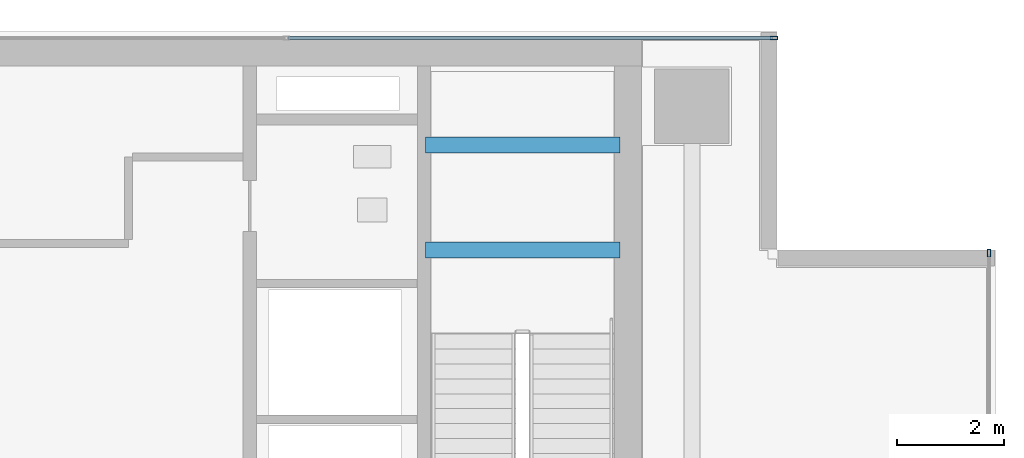
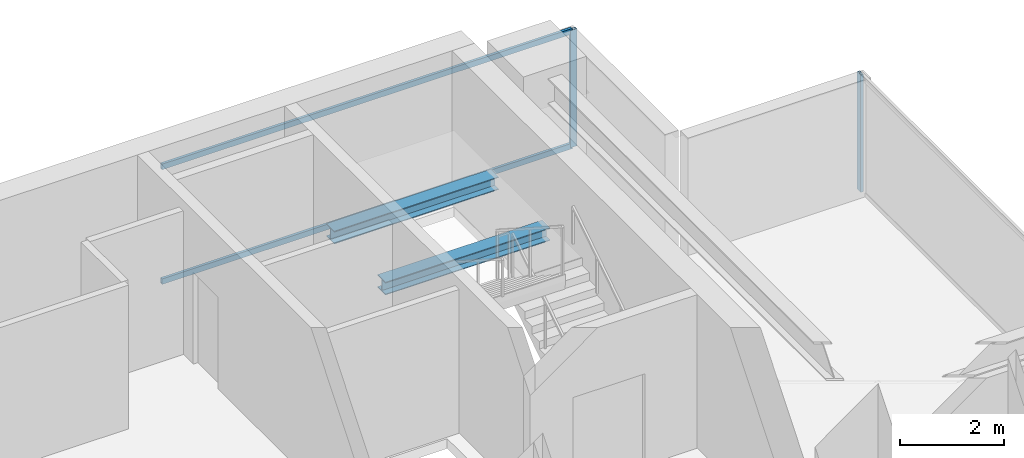
# One storey, part 18 of 25: 4 members, 2 beams, 2 elements without a shape of their own.
"""IFC4 building model written with IfcOpenShell, lengths in metres."""

import ifcopenshell
import ifcopenshell.guid

model = None  # the IFC model being written
_history = None  # IfcOwnerHistory: only IFC2X3 demands one
_inside = {}  # id of a spatial element -> (the spatial element, [elements in it])
_under = {}  # id of a project, library or spatial element -> (it, [spatial elements below it])
_declared = {}  # id of a project -> (the project, [libraries it declares])
_typed = {}  # id of a type object -> (the type object, [elements of that type])
_made_of = {}  # id of a material, layer set ... -> (it, [elements and type objects made of it])


def new_model(schema):
    """Start an empty IFC model of exactly this schema.

    Asked for "IFC4X3", IfcOpenShell would pick the latest addendum, in which some entities
    have other attributes; the version numbers below select the first issue.
    IFC2X3 requires an IfcOwnerHistory on every rooted entity: one is made here for all.
    """
    global model, _history
    if schema == "IFC4X3":
        model = ifcopenshell.file(schema_version=(4, 3, 0, 0))
    else:
        model = ifcopenshell.file(schema=schema)
    _inside.clear()
    _under.clear()
    _declared.clear()
    _typed.clear()
    _made_of.clear()
    _history = None
    if model.schema == "IFC2X3":
        org = make("IfcOrganization", Name="unknown")
        user = make(
            "IfcPersonAndOrganization",
            ThePerson=make("IfcPerson", FamilyName="unknown"),
            TheOrganization=org,
        )
        app = make(
            "IfcApplication",
            ApplicationDeveloper=org,
            Version="unknown",
            ApplicationFullName="unknown",
            ApplicationIdentifier="unknown",
        )
        _history = make(
            "IfcOwnerHistory",
            OwningUser=user,
            OwningApplication=app,
            ChangeAction="ADDED",
            CreationDate=0,
        )
    return model


def make(cls, **values):
    """One entity of the class cls with the attributes given. An attribute that is None is left unset."""
    return model.create_entity(
        cls, **{name: value for name, value in values.items() if value is not None}
    )


def rooted(cls, **values):
    """An entity with a GlobalId (a new one), such as an element, a storey or a relation."""
    return make(cls, GlobalId=ifcopenshell.guid.new(), OwnerHistory=_history, **values)


def si_unit(unit_type, name, prefix=None):
    """IfcSIUnit, for example si_unit("LENGTHUNIT", "METRE", prefix="MILLI")."""
    return make("IfcSIUnit", UnitType=unit_type, Prefix=prefix, Name=name)


def assignment(units):
    """IfcUnitAssignment: the units of a project."""
    return None if units is None else make("IfcUnitAssignment", Units=units)


def point(xyz):
    """IfcCartesianPoint."""
    return None if xyz is None else make("IfcCartesianPoint", Coordinates=xyz)


def direction(xyz):
    """IfcDirection."""
    return None if xyz is None else make("IfcDirection", DirectionRatios=xyz)


def frame(location, z_axis=None, x_axis=None):
    """IfcAxis2Placement3D, a coordinate frame: its origin and axes. An axis left out is left unset."""
    return make(
        "IfcAxis2Placement3D",
        Location=point(location),
        Axis=direction(z_axis),
        RefDirection=direction(x_axis),
    )


def frame_2d(location, x_axis=None):
    """IfcAxis2Placement2D, a coordinate frame in the plane: its origin and x axis."""
    return make(
        "IfcAxis2Placement2D", Location=point(location), RefDirection=direction(x_axis)
    )


def origin():
    """The frame at (0, 0, 0) with its axes left unset."""
    return frame((0.0, 0.0, 0.0))


def origin_2d():
    """The frame at (0, 0) in the plane with its x axis left unset."""
    return frame_2d((0.0, 0.0))


def place(relative_to, where):
    """IfcLocalPlacement: puts the frame where relative to a parent placement (None: the world)."""
    return make(
        "IfcLocalPlacement", PlacementRelTo=relative_to, RelativePlacement=where
    )


def context(
    kind, dimensions, precision=None, world=None, true_north=None, identifier=None
):
    """IfcGeometricRepresentationContext, for example the 3D "Model" context."""
    return make(
        "IfcGeometricRepresentationContext",
        ContextIdentifier=identifier,
        ContextType=kind,
        CoordinateSpaceDimension=dimensions,
        Precision=precision,
        WorldCoordinateSystem=world,
        TrueNorth=true_north,
    )


def subcontext(parent, identifier, kind, view, scale=None):
    """IfcGeometricRepresentationSubContext, for example "Body" below "Model"."""
    return make(
        "IfcGeometricRepresentationSubContext",
        ContextIdentifier=identifier,
        ContextType=kind,
        ParentContext=parent,
        TargetScale=scale,
        TargetView=view,
    )


def project(units=None, contexts=None):
    """IfcProject with its units and contexts."""
    return rooted(
        "IfcProject",
        Name="project",
        RepresentationContexts=contexts,
        UnitsInContext=assignment(units),
    )


def spatial(cls, under=None, at=None, **own):
    """A site, building, storey or space (cls), placed at a placement, below another one or the project."""
    s = rooted(cls, ObjectPlacement=at, **own)
    if under is not None:
        _under.setdefault(under.id(), (under, []))[1].append(s)
    return s


def profile(cls, at=None, kind="AREA", **sizes):
    """A parametric profile (cls). Its sizes go by their IFC names, for example OverallWidth=200.0."""
    return make(cls, ProfileType=kind, Position=at, **sizes)


def hollow_rectangle(**sizes):
    """IfcRectangleHollowProfileDef."""
    return profile("IfcRectangleHollowProfileDef", **sizes)


def i_section(**sizes):
    """IfcIShapeProfileDef."""
    return profile("IfcIShapeProfileDef", **sizes)


def extrude(swept, where, along, depth):
    """IfcExtrudedAreaSolid: the profile swept, set in the frame where, extruded along a direction by depth."""
    return make(
        "IfcExtrudedAreaSolid",
        SweptArea=swept,
        Position=where,
        ExtrudedDirection=direction(along),
        Depth=depth,
    )


def shape(context_of_items, identifier, shape_type, items):
    """IfcShapeRepresentation: the items that make up one representation, for example the "Body"."""
    return make(
        "IfcShapeRepresentation",
        ContextOfItems=context_of_items,
        RepresentationIdentifier=identifier,
        RepresentationType=shape_type,
        Items=items,
    )


def source(mapping_origin, context_of_items, identifier, shape_type, items):
    """IfcRepresentationMap: a shape defined once, which mapped items show again and again."""
    return make(
        "IfcRepresentationMap",
        MappingOrigin=mapping_origin,
        MappedRepresentation=shape(context_of_items, identifier, shape_type, items),
    )


def transform(
    local_origin,
    x_axis=None,
    y_axis=None,
    z_axis=None,
    scale=None,
    scale2=None,
    scale3=None,
    uniform=True,
):
    """IfcCartesianTransformationOperator3D, or its non-uniform kind. x_axis, y_axis, z_axis: its Axis1, 2, 3."""
    if uniform:
        return make(
            "IfcCartesianTransformationOperator3D",
            Axis1=direction(x_axis),
            Axis2=direction(y_axis),
            LocalOrigin=point(local_origin),
            Scale=scale,
            Axis3=direction(z_axis),
        )
    return make(
        "IfcCartesianTransformationOperator3DnonUniform",
        Axis1=direction(x_axis),
        Axis2=direction(y_axis),
        LocalOrigin=point(local_origin),
        Scale=scale,
        Axis3=direction(z_axis),
        Scale2=scale2,
        Scale3=scale3,
    )


def mapped(mapping_source, mapping_target):
    """IfcMappedItem: shows the shape of a source again, moved by a transform."""
    return make(
        "IfcMappedItem", MappingSource=mapping_source, MappingTarget=mapping_target
    )


def material(Name=None, Category=None):
    """IfcMaterial."""
    return make("IfcMaterial", Name=Name, Category=Category)


def layer(
    of_material, thickness, ventilated=None, Name=None, Category=None, Priority=None
):
    """IfcMaterialLayer: one layer of a wall or slab, of a material (None: an air gap)."""
    return make(
        "IfcMaterialLayer",
        Material=of_material,
        LayerThickness=thickness,
        IsVentilated=ventilated,
        Name=Name,
        Category=Category,
        Priority=Priority,
    )


def layer_set(layers, Name=None):
    """IfcMaterialLayerSet."""
    return make("IfcMaterialLayerSet", MaterialLayers=layers, LayerSetName=Name)


def material_profile(
    of_material, cross_section, Name=None, Category=None, Priority=None
):
    """IfcMaterialProfile: a cross section and its material."""
    return make(
        "IfcMaterialProfile",
        Name=Name,
        Material=of_material,
        Profile=cross_section,
        Priority=Priority,
        Category=Category,
    )


def profile_set(profiles, Name=None, composite=None):
    """IfcMaterialProfileSet."""
    return make(
        "IfcMaterialProfileSet",
        Name=Name,
        MaterialProfiles=profiles,
        CompositeProfile=composite,
    )


def made_of(thing, what):
    """Note that an element or type object is made of a material, layer set ...; save() writes the relation."""
    if what is not None:
        _made_of.setdefault(what.id(), (what, []))[1].append(thing)
    return thing


def type_object(cls, material=None, **own):
    """A type object (cls), such as IfcWallType, which elements share."""
    return made_of(rooted(cls, **own), material)


def element(
    cls,
    number,
    at=None,
    inside=None,
    cuts=None,
    type_object=None,
    material=None,
    context=None,
    identifier="Body",
    shape_type=None,
    held_by="IfcProductDefinitionShape",
    body=None,
    shapes=None,
    **own,
):
    """One element of the class cls, such as IfcWall. Its Tag is "e" and its number.

    at: its placement. inside: the storey or other place that contains it. cuts: it is an
    opening in that element (IfcRelVoidsElement). A single representation is given by context,
    identifier, shape_type and body (its items); several are given by shapes. held_by: the class
    of the entity that holds the representations. save() writes the other relations.
    """
    e = rooted(cls, Tag="e%d" % number, ObjectPlacement=at, **own)
    if body is not None:
        shapes = [shape(context, identifier, shape_type, body)]
    if shapes is not None:
        e.Representation = make(held_by, Representations=shapes)
    if inside is not None:
        _inside.setdefault(inside.id(), (inside, []))[1].append(e)
    if cuts is not None:
        rooted(
            "IfcRelVoidsElement", RelatingBuildingElement=cuts, RelatedOpeningElement=e
        )
    if type_object is not None:
        _typed.setdefault(type_object.id(), (type_object, []))[1].append(e)
    return made_of(e, material)


def aggregate(whole, parts):
    """IfcRelAggregates: a whole, such as a stair, and the parts it consists of."""
    return rooted("IfcRelAggregates", RelatingObject=whole, RelatedObjects=parts)


def save(model, path):
    """Write the relations noted so far, then the file.

    IfcRelAggregates (storeys below a building ...), IfcRelContainedInSpatialStructure (elements
    in a storey), IfcRelDefinesByType, IfcRelAssociatesMaterial and IfcRelDeclares: one each for
    every whole, place, type object, material and project.
    """
    for whole, parts in _under.values():
        aggregate(whole, parts)
    for where, things in _inside.values():
        rooted(
            "IfcRelContainedInSpatialStructure",
            RelatedElements=things,
            RelatingStructure=where,
        )
    for kind, things in _typed.values():
        rooted("IfcRelDefinesByType", RelatedObjects=things, RelatingType=kind)
    for what, things in _made_of.values():
        rooted("IfcRelAssociatesMaterial", RelatedObjects=things, RelatingMaterial=what)
    for by, libraries in _declared.values():
        rooted("IfcRelDeclares", RelatingContext=by, RelatedDefinitions=libraries)
    model.write(path)


model = new_model("IFC4")

# Units and contexts
model_context = context("Model", 3, precision=1e-05, world=origin(), true_north=direction((0.0, 1.0)))
body_context = subcontext(model_context, "Body", "Model", "MODEL_VIEW")
ifc_project = project(units=[si_unit("LENGTHUNIT", "METRE"), si_unit("AREAUNIT", "SQUARE_METRE"), si_unit("VOLUMEUNIT", "CUBIC_METRE"), si_unit("PLANEANGLEUNIT", "RADIAN"), si_unit("MASSUNIT", "GRAM", prefix="KILO")], contexts=[model_context])

# Site, building, storey
site_placement = place(None, origin())
site = spatial("IfcSite", under=ifc_project, at=site_placement, CompositionType="ELEMENT")
building_placement = place(site_placement, origin())
building = spatial("IfcBuilding", under=site, at=building_placement, Name="Sumidabori Civic Tower", CompositionType="ELEMENT")
storey_placement = place(building_placement, frame((0.0, 0.0, 268.39990234375)))
storey = spatial("IfcBuildingStorey", under=building, at=storey_placement, Name="L70", CompositionType="ELEMENT", Elevation=268.39990234375)

# Beams
ifc_material_1 = material(Name="Steel SN490", Category="steel")
ifc_material_profile_1 = material_profile(ifc_material_1, i_section(OverallWidth=0.300048828125, OverallDepth=0.300048828125, WebThickness=0.010986328125, FlangeThickness=0.01904296875, at=origin_2d()), Name="HE 300 B")
ifc_profile_set_1 = profile_set([ifc_material_profile_1], Name="Steel SN490")
beam_type = type_object("IfcBeamType", Name="BM-LDG-300", PredefinedType="BEAM", material=ifc_profile_set_1)
shared_shape_1 = source(origin(), body_context, "Body", "SweptSolid", [
    extrude(i_section(OverallWidth=0.300048828125, OverallDepth=0.300048828125, WebThickness=0.010986328125, FlangeThickness=0.01904296875, at=origin_2d()), origin(), (0.0, 0.0, 1.0), 3.64990234375),
])
for number, where, z_axis, x_axis, name in (
    (1, (11.800048828125, 20.09765625, 1.4501953125), (1.0, 0.0, 0.0), (0.0, 1.0, 0.0), "Stair ST-2 Landing Support Beam L70-1A"),
    (2, (11.800048828125, 22.069580078125, 1.4501953125), (1.0, 0.0, 0.0), (0.0, 1.0, 0.0), "Stair ST-2 Landing Trimmer Beam L70-1B"),
):
    element("IfcBeam", number, at=place(storey_placement, frame(where, z_axis=z_axis, x_axis=x_axis)), inside=storey, type_object=beam_type, Name=name, PredefinedType="BEAM", context=body_context, shape_type="MappedRepresentation", body=[
        mapped(shared_shape_1, transform((0.0, 0.0, 0.0), x_axis=(1.0, 0.0, 0.0), y_axis=(0.0, 1.0, 0.0), z_axis=(0.0, 0.0, 1.0), scale=1.0)),
    ])

# Curtain wall, members
ifc_material_2 = material(Name="Anodised Bronze Aluminium AW-6063-T6", Category="aluminium")
ifc_layer = layer(ifc_material_2, 0.179931640625, Name="Anodised Bronze Aluminium AW-6063-T6")
ifc_layer_set = layer_set([ifc_layer], Name="Anodised Bronze Aluminium AW-6063-T6")
curtain_wall_type = type_object("IfcCurtainWallType", Name="CW-SYS-5", PredefinedType="NOTDEFINED", material=ifc_layer_set)
curtain_wall_1_placement = place(storey_placement, origin())
curtain_wall_1 = element("IfcCurtainWall", 3, at=curtain_wall_1_placement, inside=storey, type_object=curtain_wall_type, Name="Curtain Wall CW:L70:R07", PredefinedType="NOTDEFINED")
ifc_material_profile_2 = material_profile(ifc_material_2, hollow_rectangle(XDim=0.06005859375, YDim=0.1298828125, WallThickness=0.0048828125, at=origin_2d()), Name="ALU TRANSOM 130x60")
ifc_profile_set_2 = profile_set([ifc_material_profile_2], Name="Anodised Bronze Aluminium AW-6063-T6")
member_type_1 = type_object("IfcMemberType", Name="CW-TRN-130", PredefinedType="USERDEFINED", material=ifc_profile_set_2)
shared_shape_2 = source(origin(), body_context, "Body", "SweptSolid", [
    extrude(hollow_rectangle(XDim=0.06005859375, YDim=0.1298828125, WallThickness=0.0048828125, at=origin_2d()), origin(), (0.0, 0.0, 1.0), 9.094970703125),
])
member_1_placement = place(storey_placement, frame((18.31005859375, 24.080078125, 0.030029296875), z_axis=(-1.0, 0.0, 0.0), x_axis=(0.0, -1.0, 0.0)))
member_1 = element("IfcMember", 4, at=member_1_placement, type_object=member_type_1, Name="CW-5 transom 1.1", ObjectType="TRANSOM", PredefinedType="USERDEFINED", context=body_context, shape_type="MappedRepresentation", body=[
    mapped(shared_shape_2, transform((0.0, 0.0, 0.0), x_axis=(1.0, 0.0, 0.0), y_axis=(0.0, 1.0, 0.0), z_axis=(0.0, 0.0, 1.0), scale=1.0)),
])
member_2_placement = place(storey_placement, frame((18.31005859375, 24.080078125, 2.72021484375), z_axis=(-1.0, 0.0, 0.0), x_axis=(0.0, -1.0, 0.0)))
member_2 = element("IfcMember", 5, at=member_2_placement, type_object=member_type_1, Name="CW-5 transom 1.2", ObjectType="TRANSOM", PredefinedType="USERDEFINED", context=body_context, shape_type="MappedRepresentation", body=[
    mapped(shared_shape_2, transform((0.0, 0.0, 0.0), x_axis=(1.0, 0.0, 0.0), y_axis=(0.0, 1.0, 0.0), z_axis=(0.0, 0.0, 1.0), scale=1.0)),
])

# Curtain wall, member
curtain_wall_2_placement = place(storey_placement, origin())
curtain_wall_2 = element("IfcCurtainWall", 6, at=curtain_wall_2_placement, inside=storey, type_object=curtain_wall_type, Name="Curtain Wall CW:L70:R04", PredefinedType="NOTDEFINED")
ifc_material_profile_3 = material_profile(ifc_material_2, hollow_rectangle(XDim=0.06005859375, YDim=0.139892578125, WallThickness=0.0048828125, at=origin_2d()), Name="ALU MULLION 140x60")
ifc_profile_set_3 = profile_set([ifc_material_profile_3], Name="Anodised Bronze Aluminium AW-6063-T6")
member_type_2 = type_object("IfcMemberType", Name="CW-MUL-140", PredefinedType="MULLION", material=ifc_profile_set_3)
shared_shape_3 = source(origin(), body_context, "Body", "SweptSolid", [
    extrude(hollow_rectangle(XDim=0.06005859375, YDim=0.139892578125, WallThickness=0.0048828125, at=origin_2d()), origin(), (0.0, 0.0, 1.0), 2.75),
])
member_3_placement = place(storey_placement, frame((22.3798828125, 20.0400390625, 0.0), z_axis=(0.0, 0.0, 1.0), x_axis=(-1.0, 0.0, 0.0)))
member_3 = element("IfcMember", 7, at=member_3_placement, type_object=member_type_2, Name="CW-5 mullion 4", PredefinedType="MULLION", context=body_context, shape_type="MappedRepresentation", body=[
    mapped(shared_shape_3, transform((0.0, 0.0, 0.0), x_axis=(1.0, 0.0, 0.0), y_axis=(0.0, 1.0, 0.0), z_axis=(0.0, 0.0, 1.0), scale=1.0)),
])
aggregate(curtain_wall_2, [member_3])

# Member
member_4_placement = place(storey_placement, frame((18.340087890625, 24.080078125, 0.0), z_axis=(0.0, 0.0, 1.0), x_axis=(0.0, -1.0, 0.0)))
member_4 = element("IfcMember", 8, at=member_4_placement, type_object=member_type_2, Name="CW-5 mullion 1", PredefinedType="MULLION", context=body_context, shape_type="MappedRepresentation", body=[
    mapped(shared_shape_3, transform((0.0, 0.0, 0.0), x_axis=(1.0, 0.0, 0.0), y_axis=(0.0, 1.0, 0.0), z_axis=(0.0, 0.0, 1.0), scale=1.0)),
])

aggregate(curtain_wall_1, [member_4, member_1, member_2])

save(model, "model.ifc")
